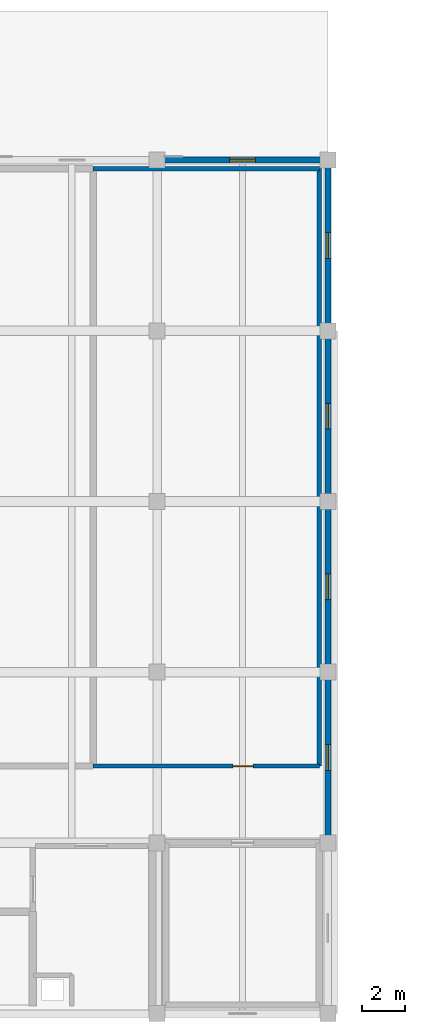
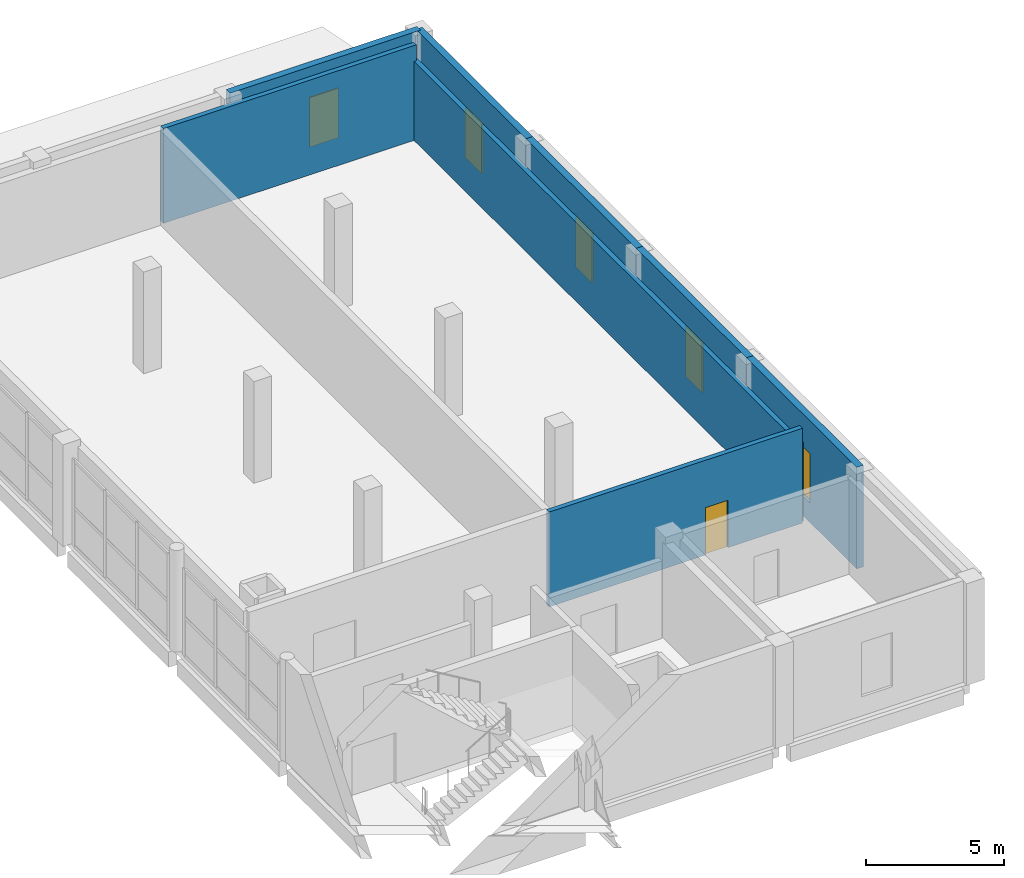
# One storey, part 34 of 53: 8 walls, 5 windows, 1 door, 6 openings.
"""IFC4 building model written with IfcOpenShell, lengths in metres."""

import ifcopenshell
import ifcopenshell.guid

model = None  # the IFC model being written
_history = None  # IfcOwnerHistory: only IFC2X3 demands one
_inside = {}  # id of a spatial element -> (the spatial element, [elements in it])
_under = {}  # id of a project, library or spatial element -> (it, [spatial elements below it])
_declared = {}  # id of a project -> (the project, [libraries it declares])
_typed = {}  # id of a type object -> (the type object, [elements of that type])
_made_of = {}  # id of a material, layer set ... -> (it, [elements and type objects made of it])


def new_model(schema):
    """Start an empty IFC model of exactly this schema.

    Asked for "IFC4X3", IfcOpenShell would pick the latest addendum, in which some entities
    have other attributes; the version numbers below select the first issue.
    IFC2X3 requires an IfcOwnerHistory on every rooted entity: one is made here for all.
    """
    global model, _history
    if schema == "IFC4X3":
        model = ifcopenshell.file(schema_version=(4, 3, 0, 0))
    else:
        model = ifcopenshell.file(schema=schema)
    _inside.clear()
    _under.clear()
    _declared.clear()
    _typed.clear()
    _made_of.clear()
    _history = None
    if model.schema == "IFC2X3":
        org = make("IfcOrganization", Name="unknown")
        user = make(
            "IfcPersonAndOrganization",
            ThePerson=make("IfcPerson", FamilyName="unknown"),
            TheOrganization=org,
        )
        app = make(
            "IfcApplication",
            ApplicationDeveloper=org,
            Version="unknown",
            ApplicationFullName="unknown",
            ApplicationIdentifier="unknown",
        )
        _history = make(
            "IfcOwnerHistory",
            OwningUser=user,
            OwningApplication=app,
            ChangeAction="ADDED",
            CreationDate=0,
        )
    return model


def make(cls, **values):
    """One entity of the class cls with the attributes given. An attribute that is None is left unset."""
    return model.create_entity(
        cls, **{name: value for name, value in values.items() if value is not None}
    )


def rooted(cls, **values):
    """An entity with a GlobalId (a new one), such as an element, a storey or a relation."""
    return make(cls, GlobalId=ifcopenshell.guid.new(), OwnerHistory=_history, **values)


def si_unit(unit_type, name, prefix=None):
    """IfcSIUnit, for example si_unit("LENGTHUNIT", "METRE", prefix="MILLI")."""
    return make("IfcSIUnit", UnitType=unit_type, Prefix=prefix, Name=name)


def assignment(units):
    """IfcUnitAssignment: the units of a project."""
    return None if units is None else make("IfcUnitAssignment", Units=units)


def point(xyz):
    """IfcCartesianPoint."""
    return None if xyz is None else make("IfcCartesianPoint", Coordinates=xyz)


def direction(xyz):
    """IfcDirection."""
    return None if xyz is None else make("IfcDirection", DirectionRatios=xyz)


def frame(location, z_axis=None, x_axis=None):
    """IfcAxis2Placement3D, a coordinate frame: its origin and axes. An axis left out is left unset."""
    return make(
        "IfcAxis2Placement3D",
        Location=point(location),
        Axis=direction(z_axis),
        RefDirection=direction(x_axis),
    )


def frame_2d(location, x_axis=None):
    """IfcAxis2Placement2D, a coordinate frame in the plane: its origin and x axis."""
    return make(
        "IfcAxis2Placement2D", Location=point(location), RefDirection=direction(x_axis)
    )


def origin():
    """The frame at (0, 0, 0) with its axes left unset."""
    return frame((0.0, 0.0, 0.0))


def place(relative_to, where):
    """IfcLocalPlacement: puts the frame where relative to a parent placement (None: the world)."""
    return make(
        "IfcLocalPlacement", PlacementRelTo=relative_to, RelativePlacement=where
    )


def context(
    kind, dimensions, precision=None, world=None, true_north=None, identifier=None
):
    """IfcGeometricRepresentationContext, for example the 3D "Model" context."""
    return make(
        "IfcGeometricRepresentationContext",
        ContextIdentifier=identifier,
        ContextType=kind,
        CoordinateSpaceDimension=dimensions,
        Precision=precision,
        WorldCoordinateSystem=world,
        TrueNorth=true_north,
    )


def subcontext(parent, identifier, kind, view, scale=None):
    """IfcGeometricRepresentationSubContext, for example "Body" below "Model"."""
    return make(
        "IfcGeometricRepresentationSubContext",
        ContextIdentifier=identifier,
        ContextType=kind,
        ParentContext=parent,
        TargetScale=scale,
        TargetView=view,
    )


def project(units=None, contexts=None):
    """IfcProject with its units and contexts."""
    return rooted(
        "IfcProject",
        Name="project",
        RepresentationContexts=contexts,
        UnitsInContext=assignment(units),
    )


def spatial(cls, under=None, at=None, **own):
    """A site, building, storey or space (cls), placed at a placement, below another one or the project."""
    s = rooted(cls, ObjectPlacement=at, **own)
    if under is not None:
        _under.setdefault(under.id(), (under, []))[1].append(s)
    return s


def profile(cls, at=None, kind="AREA", **sizes):
    """A parametric profile (cls). Its sizes go by their IFC names, for example OverallWidth=200.0."""
    return make(cls, ProfileType=kind, Position=at, **sizes)


def rectangle(**sizes):
    """IfcRectangleProfileDef."""
    return profile("IfcRectangleProfileDef", **sizes)


def extrude(swept, where, along, depth):
    """IfcExtrudedAreaSolid: the profile swept, set in the frame where, extruded along a direction by depth."""
    return make(
        "IfcExtrudedAreaSolid",
        SweptArea=swept,
        Position=where,
        ExtrudedDirection=direction(along),
        Depth=depth,
    )


def shape(context_of_items, identifier, shape_type, items):
    """IfcShapeRepresentation: the items that make up one representation, for example the "Body"."""
    return make(
        "IfcShapeRepresentation",
        ContextOfItems=context_of_items,
        RepresentationIdentifier=identifier,
        RepresentationType=shape_type,
        Items=items,
    )


def material(Name=None, Category=None):
    """IfcMaterial."""
    return make("IfcMaterial", Name=Name, Category=Category)


def layer(
    of_material, thickness, ventilated=None, Name=None, Category=None, Priority=None
):
    """IfcMaterialLayer: one layer of a wall or slab, of a material (None: an air gap)."""
    return make(
        "IfcMaterialLayer",
        Material=of_material,
        LayerThickness=thickness,
        IsVentilated=ventilated,
        Name=Name,
        Category=Category,
        Priority=Priority,
    )


def layer_set(layers, Name=None):
    """IfcMaterialLayerSet."""
    return make("IfcMaterialLayerSet", MaterialLayers=layers, LayerSetName=Name)


def made_of(thing, what):
    """Note that an element or type object is made of a material, layer set ...; save() writes the relation."""
    if what is not None:
        _made_of.setdefault(what.id(), (what, []))[1].append(thing)
    return thing


def type_object(cls, material=None, **own):
    """A type object (cls), such as IfcWallType, which elements share."""
    return made_of(rooted(cls, **own), material)


def element(
    cls,
    number,
    at=None,
    inside=None,
    cuts=None,
    type_object=None,
    material=None,
    context=None,
    identifier="Body",
    shape_type=None,
    held_by="IfcProductDefinitionShape",
    body=None,
    shapes=None,
    **own,
):
    """One element of the class cls, such as IfcWall. Its Tag is "e" and its number.

    at: its placement. inside: the storey or other place that contains it. cuts: it is an
    opening in that element (IfcRelVoidsElement). A single representation is given by context,
    identifier, shape_type and body (its items); several are given by shapes. held_by: the class
    of the entity that holds the representations. save() writes the other relations.
    """
    e = rooted(cls, Tag="e%d" % number, ObjectPlacement=at, **own)
    if body is not None:
        shapes = [shape(context, identifier, shape_type, body)]
    if shapes is not None:
        e.Representation = make(held_by, Representations=shapes)
    if inside is not None:
        _inside.setdefault(inside.id(), (inside, []))[1].append(e)
    if cuts is not None:
        rooted(
            "IfcRelVoidsElement", RelatingBuildingElement=cuts, RelatedOpeningElement=e
        )
    if type_object is not None:
        _typed.setdefault(type_object.id(), (type_object, []))[1].append(e)
    return made_of(e, material)


def fill(opening, filler):
    """IfcRelFillsElement: the door or window that sits in an opening."""
    return rooted(
        "IfcRelFillsElement",
        RelatingOpeningElement=opening,
        RelatedBuildingElement=filler,
    )


def aggregate(whole, parts):
    """IfcRelAggregates: a whole, such as a stair, and the parts it consists of."""
    return rooted("IfcRelAggregates", RelatingObject=whole, RelatedObjects=parts)


def save(model, path):
    """Write the relations noted so far, then the file.

    IfcRelAggregates (storeys below a building ...), IfcRelContainedInSpatialStructure (elements
    in a storey), IfcRelDefinesByType, IfcRelAssociatesMaterial and IfcRelDeclares: one each for
    every whole, place, type object, material and project.
    """
    for whole, parts in _under.values():
        aggregate(whole, parts)
    for where, things in _inside.values():
        rooted(
            "IfcRelContainedInSpatialStructure",
            RelatedElements=things,
            RelatingStructure=where,
        )
    for kind, things in _typed.values():
        rooted("IfcRelDefinesByType", RelatedObjects=things, RelatingType=kind)
    for what, things in _made_of.values():
        rooted("IfcRelAssociatesMaterial", RelatedObjects=things, RelatingMaterial=what)
    for by, libraries in _declared.values():
        rooted("IfcRelDeclares", RelatingContext=by, RelatedDefinitions=libraries)
    model.write(path)


model = new_model("IFC4")

# Units and contexts
model_context = context("Model", 3, precision=1e-05, world=origin(), true_north=direction((0.0, 1.0)))
body_context = subcontext(model_context, "Body", "Model", "MODEL_VIEW")
ifc_project = project(units=[si_unit("LENGTHUNIT", "METRE"), si_unit("AREAUNIT", "SQUARE_METRE"), si_unit("VOLUMEUNIT", "CUBIC_METRE"), si_unit("PLANEANGLEUNIT", "RADIAN"), si_unit("MASSUNIT", "GRAM", prefix="KILO")], contexts=[model_context])

# Site, building, storey
site_placement = place(None, origin())
site = spatial("IfcSite", under=ifc_project, at=site_placement, CompositionType="ELEMENT")
building_placement = place(site_placement, origin())
building = spatial("IfcBuilding", under=site, at=building_placement, Name="Qorikala Patio Media Centre", CompositionType="ELEMENT")
storey_placement = place(building_placement, frame((0.0, 0.0, 5.39990234375)))
storey = spatial("IfcBuildingStorey", under=building, at=storey_placement, Name="L01", CompositionType="ELEMENT", Elevation=5.39990234375)

# Wall, opening, window
ifc_material_1 = material(Name="Warm Ochre Lime Stucco and Concrete C35/45", Category="concrete")
ifc_layer_1 = layer(ifc_material_1, 0.280029296875)
ifc_layer_set_1 = layer_set([ifc_layer_1], Name="Warm Ochre Lime Stucco and Concrete C35/45")
wall_type_1 = type_object("IfcWallType", Name="WL-OCHRE-280", PredefinedType="SOLIDWALL", material=ifc_layer_set_1)
wall_1_placement = place(storey_placement, frame((67.0, 104.0, 0.0), z_axis=(0.0, 0.0, 1.0), x_axis=(1.0, 0.0, 0.0)))
wall_1 = element("IfcWall", 1, at=wall_1_placement, inside=storey, type_object=wall_type_1, Name="L01 Exterior Wall WL-L01-EXT-0039", PredefinedType="SOLIDWALL", context=body_context, shape_type="SweptSolid", body=[
    extrude(rectangle(XDim=8.0, YDim=0.280029296875, at=frame_2d((4.0, 0.0))), origin(), (0.0, 0.0, 1.0), 4.5),
])
opening_1_placement = place(wall_1_placement, frame((3.39990234375, 0.0, 0.85009765625)))
opening_1 = element("IfcOpeningElement", 2, at=opening_1_placement, cuts=wall_1, Name="Opening WC-120", PredefinedType="OPENING", context=body_context, shape_type="SweptSolid", body=[
    extrude(rectangle(XDim=1.199951171875, YDim=2.199951171875, at=frame_2d((0.60009765625, 1.10009765625))), frame((0.0, 0.14990234375, 0.0), z_axis=(0.0, -1.0, 0.0), x_axis=(1.0, 0.0, 0.0)), (0.0, 0.0, 1.0), 0.300048828125),
])
ifc_material_2 = material(Name="Bronze Anodised Aluminium and Low-E Glass", Category="aluminium")
window_type = type_object("IfcWindowType", Name="WN-COL-120X220", PartitioningType="SINGLE_PANEL", PredefinedType="WINDOW", material=ifc_material_2)
window_1_placement = place(opening_1_placement, origin())
window_1 = element("IfcWindow", 3, at=window_1_placement, inside=storey, type_object=window_type, Name="L01 Colonial Tall Window 0088", OverallHeight=2.199951171875, OverallWidth=1.199951171875, PartitioningType="SINGLE_PANEL", PredefinedType="WINDOW", context=body_context, shape_type="SweptSolid", body=[
    extrude(rectangle(XDim=1.199951171875, YDim=2.199951171875, at=frame_2d((0.60009765625, 1.10009765625))), frame((0.0, 0.030029296875, 0.0), z_axis=(0.0, -1.0, 0.0), x_axis=(1.0, 0.0, 0.0)), (0.0, 0.0, 1.0), 0.06005859375),
])
fill(opening_1, window_1)

wall_2_placement = place(storey_placement, frame((75.0, 104.0, 0.0), z_axis=(0.0, 0.0, 1.0), x_axis=(0.0, -1.0, 0.0)))
wall_2 = element("IfcWall", 4, at=wall_2_placement, inside=storey, type_object=wall_type_1, Name="L01 Exterior Wall WL-L01-EXT-0040", PredefinedType="SOLIDWALL", context=body_context, shape_type="SweptSolid", body=[
    extrude(rectangle(XDim=8.0, YDim=0.280029296875, at=frame_2d((4.0, 0.0))), origin(), (0.0, 0.0, 1.0), 4.5),
])
opening_2_placement = place(wall_2_placement, frame((3.39990234375, 0.0, 0.85009765625)))
opening_2 = element("IfcOpeningElement", 5, at=opening_2_placement, cuts=wall_2, Name="Opening WC-120", PredefinedType="OPENING", context=body_context, shape_type="SweptSolid", body=[
    extrude(rectangle(XDim=1.199951171875, YDim=2.199951171875, at=frame_2d((0.60009765625, 1.10009765625))), frame((0.0, 0.14990234375, 0.0), z_axis=(0.0, -1.0, 0.0), x_axis=(1.0, 0.0, 0.0)), (0.0, 0.0, 1.0), 0.300048828125),
])
window_2_placement = place(opening_2_placement, origin())
window_2 = element("IfcWindow", 6, at=window_2_placement, inside=storey, type_object=window_type, Name="L01 Colonial Tall Window 0089", OverallHeight=2.199951171875, OverallWidth=1.199951171875, PartitioningType="SINGLE_PANEL", PredefinedType="WINDOW", context=body_context, shape_type="SweptSolid", body=[
    extrude(rectangle(XDim=1.199951171875, YDim=2.199951171875, at=frame_2d((0.60009765625, 1.10009765625))), frame((0.0, 0.030029296875, 0.0), z_axis=(0.0, -1.0, 0.0), x_axis=(1.0, 0.0, 0.0)), (0.0, 0.0, 1.0), 0.06005859375),
])
fill(opening_2, window_2)

wall_3_placement = place(storey_placement, frame((75.0, 96.0, 0.0), z_axis=(0.0, 0.0, 1.0), x_axis=(0.0, -1.0, 0.0)))
wall_3 = element("IfcWall", 7, at=wall_3_placement, inside=storey, type_object=wall_type_1, Name="L01 Exterior Wall WL-L01-EXT-0041", PredefinedType="SOLIDWALL", context=body_context, shape_type="SweptSolid", body=[
    extrude(rectangle(XDim=8.0, YDim=0.280029296875, at=frame_2d((4.0, 0.0))), origin(), (0.0, 0.0, 1.0), 4.5),
])
opening_3_placement = place(wall_3_placement, frame((3.39990234375, 0.0, 0.85009765625)))
opening_3 = element("IfcOpeningElement", 8, at=opening_3_placement, cuts=wall_3, Name="Opening WC-120", PredefinedType="OPENING", context=body_context, shape_type="SweptSolid", body=[
    extrude(rectangle(XDim=1.199951171875, YDim=2.199951171875, at=frame_2d((0.60009765625, 1.10009765625))), frame((0.0, 0.14990234375, 0.0), z_axis=(0.0, -1.0, 0.0), x_axis=(1.0, 0.0, 0.0)), (0.0, 0.0, 1.0), 0.300048828125),
])
window_3_placement = place(opening_3_placement, origin())
window_3 = element("IfcWindow", 9, at=window_3_placement, inside=storey, type_object=window_type, Name="L01 Colonial Tall Window 0090", OverallHeight=2.199951171875, OverallWidth=1.199951171875, PartitioningType="SINGLE_PANEL", PredefinedType="WINDOW", context=body_context, shape_type="SweptSolid", body=[
    extrude(rectangle(XDim=1.199951171875, YDim=2.199951171875, at=frame_2d((0.60009765625, 1.10009765625))), frame((0.0, 0.030029296875, 0.0), z_axis=(0.0, -1.0, 0.0), x_axis=(1.0, 0.0, 0.0)), (0.0, 0.0, 1.0), 0.06005859375),
])
fill(opening_3, window_3)

wall_4_placement = place(storey_placement, frame((75.0, 88.0, 0.0), z_axis=(0.0, 0.0, 1.0), x_axis=(0.0, -1.0, 0.0)))
wall_4 = element("IfcWall", 10, at=wall_4_placement, inside=storey, type_object=wall_type_1, Name="L01 Exterior Wall WL-L01-EXT-0042", PredefinedType="SOLIDWALL", context=body_context, shape_type="SweptSolid", body=[
    extrude(rectangle(XDim=8.0, YDim=0.280029296875, at=frame_2d((4.0, 0.0))), origin(), (0.0, 0.0, 1.0), 4.5),
])
opening_4_placement = place(wall_4_placement, frame((3.39990234375, 0.0, 0.85009765625)))
opening_4 = element("IfcOpeningElement", 11, at=opening_4_placement, cuts=wall_4, Name="Opening WC-120", PredefinedType="OPENING", context=body_context, shape_type="SweptSolid", body=[
    extrude(rectangle(XDim=1.199951171875, YDim=2.199951171875, at=frame_2d((0.60009765625, 1.10009765625))), frame((0.0, 0.14990234375, 0.0), z_axis=(0.0, -1.0, 0.0), x_axis=(1.0, 0.0, 0.0)), (0.0, 0.0, 1.0), 0.300048828125),
])
window_4_placement = place(opening_4_placement, origin())
window_4 = element("IfcWindow", 12, at=window_4_placement, inside=storey, type_object=window_type, Name="L01 Colonial Tall Window 0091", OverallHeight=2.199951171875, OverallWidth=1.199951171875, PartitioningType="SINGLE_PANEL", PredefinedType="WINDOW", context=body_context, shape_type="SweptSolid", body=[
    extrude(rectangle(XDim=1.199951171875, YDim=2.199951171875, at=frame_2d((0.60009765625, 1.10009765625))), frame((0.0, 0.030029296875, 0.0), z_axis=(0.0, -1.0, 0.0), x_axis=(1.0, 0.0, 0.0)), (0.0, 0.0, 1.0), 0.06005859375),
])
fill(opening_4, window_4)

wall_5_placement = place(storey_placement, frame((75.0, 80.0, 0.0), z_axis=(0.0, 0.0, 1.0), x_axis=(0.0, -1.0, 0.0)))
wall_5 = element("IfcWall", 13, at=wall_5_placement, inside=storey, type_object=wall_type_1, Name="L01 Exterior Wall WL-L01-EXT-0043", PredefinedType="SOLIDWALL", context=body_context, shape_type="SweptSolid", body=[
    extrude(rectangle(XDim=8.0, YDim=0.280029296875, at=frame_2d((4.0, 0.0))), origin(), (0.0, 0.0, 1.0), 4.5),
])
opening_5_placement = place(wall_5_placement, frame((3.39990234375, 0.0, 0.85009765625)))
opening_5 = element("IfcOpeningElement", 14, at=opening_5_placement, cuts=wall_5, Name="Opening WC-120", PredefinedType="OPENING", context=body_context, shape_type="SweptSolid", body=[
    extrude(rectangle(XDim=1.199951171875, YDim=2.199951171875, at=frame_2d((0.60009765625, 1.10009765625))), frame((0.0, 0.14990234375, 0.0), z_axis=(0.0, -1.0, 0.0), x_axis=(1.0, 0.0, 0.0)), (0.0, 0.0, 1.0), 0.300048828125),
])
window_5_placement = place(opening_5_placement, origin())
window_5 = element("IfcWindow", 15, at=window_5_placement, inside=storey, type_object=window_type, Name="L01 Colonial Tall Window 0092", OverallHeight=2.199951171875, OverallWidth=1.199951171875, PartitioningType="SINGLE_PANEL", PredefinedType="WINDOW", context=body_context, shape_type="SweptSolid", body=[
    extrude(rectangle(XDim=1.199951171875, YDim=2.199951171875, at=frame_2d((0.60009765625, 1.10009765625))), frame((0.0, 0.030029296875, 0.0), z_axis=(0.0, -1.0, 0.0), x_axis=(1.0, 0.0, 0.0)), (0.0, 0.0, 1.0), 0.06005859375),
])
fill(opening_5, window_5)

# Wall, opening, door
ifc_material_3 = material(Name="Acoustic Masonry and Plaster Concrete C30/37", Category="masonry")
ifc_layer_2 = layer(ifc_material_3, 0.199951171875)
ifc_layer_set_2 = layer_set([ifc_layer_2], Name="Acoustic Masonry and Plaster Concrete C30/37")
wall_type_2 = type_object("IfcWallType", Name="WL-ST-200", PredefinedType="PARTITIONING", material=ifc_layer_set_2)
wall_6_placement = place(storey_placement, frame((64.0, 75.60009765625, 0.0), z_axis=(0.0, 0.0, 1.0), x_axis=(1.0, 0.0, 0.0)))
wall_6 = element("IfcWall", 16, at=wall_6_placement, inside=storey, type_object=wall_type_2, Name="L01 Interior Wall WINT-L01-CTR3-S", PredefinedType="PARTITIONING", context=body_context, shape_type="SweptSolid", body=[
    extrude(rectangle(XDim=10.60009765625, YDim=0.199951171875, at=frame_2d((5.300048828125, 0.0))), origin(), (0.0, 0.0, 1.0), 4.2001953125),
])
opening_6_placement = place(wall_6_placement, frame((6.5458984375, 0.0, 0.0)))
opening_6 = element("IfcOpeningElement", 17, at=opening_6_placement, cuts=wall_6, Name="Opening D267", PredefinedType="OPENING", context=body_context, shape_type="SweptSolid", body=[
    extrude(rectangle(XDim=0.949951171875, YDim=2.10009765625, at=frame_2d((0.47509765625, 1.050048828125))), frame((0.0, 0.10986328125, 0.0), z_axis=(0.0, -1.0, 0.0), x_axis=(1.0, 0.0, 0.0)), (0.0, 0.0, 1.0), 0.219970703125),
])
ifc_material_4 = material(Name="Acoustic Fire Timber", Category="wood")
door_type = type_object("IfcDoorType", Name="DR-FD60-095X210", OperationType="NOTDEFINED", PredefinedType="DOOR", material=ifc_material_4)
door_placement = place(opening_6_placement, origin())
door = element("IfcDoor", 18, at=door_placement, inside=storey, type_object=door_type, Name="Recording Studio 3 Control Room Door 056", OperationType="SINGLE_SWING_LEFT", OverallHeight=2.10009765625, OverallWidth=0.949951171875, PredefinedType="DOOR", context=body_context, shape_type="SweptSolid", body=[
    extrude(rectangle(XDim=0.949951171875, YDim=2.10009765625, at=frame_2d((0.47509765625, 1.050048828125))), frame((0.0, 0.02490234375, 0.0), z_axis=(0.0, -1.0, 0.0), x_axis=(1.0, 0.0, 0.0)), (0.0, 0.0, 1.0), 0.050048828125),
])
fill(opening_6, door)

# Walls
wall_7_placement = place(storey_placement, frame((74.60009765625, 75.60009765625, 0.0), z_axis=(0.0, 0.0, 1.0), x_axis=(0.0, 1.0, 0.0)))
element("IfcWall", 19, at=wall_7_placement, inside=storey, type_object=wall_type_2, Name="L01 Interior Wall WINT-L01-CTR3-E", PredefinedType="PARTITIONING", context=body_context, shape_type="SweptSolid", body=[
    extrude(rectangle(XDim=28.0, YDim=0.199951171875, at=frame_2d((14.0, 0.0))), origin(), (0.0, 0.0, 1.0), 3.505126953125),
])
wall_8_placement = place(storey_placement, frame((64.0, 103.60009765625, 0.0), z_axis=(0.0, 0.0, 1.0), x_axis=(1.0, 0.0, 0.0)))
element("IfcWall", 20, at=wall_8_placement, inside=storey, type_object=wall_type_2, Name="L01 Interior Wall WINT-L01-CTR3-N", PredefinedType="PARTITIONING", context=body_context, shape_type="SweptSolid", body=[
    extrude(rectangle(XDim=10.60009765625, YDim=0.199951171875, at=frame_2d((5.300048828125, 0.0))), origin(), (0.0, 0.0, 1.0), 4.2001953125),
])

save(model, "model.ifc")
